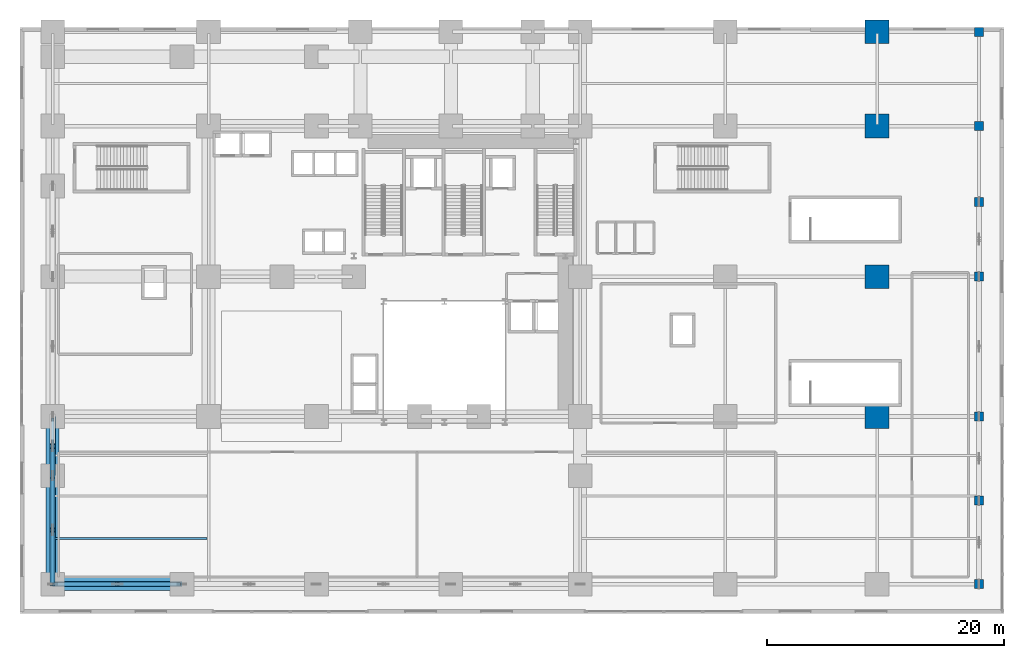
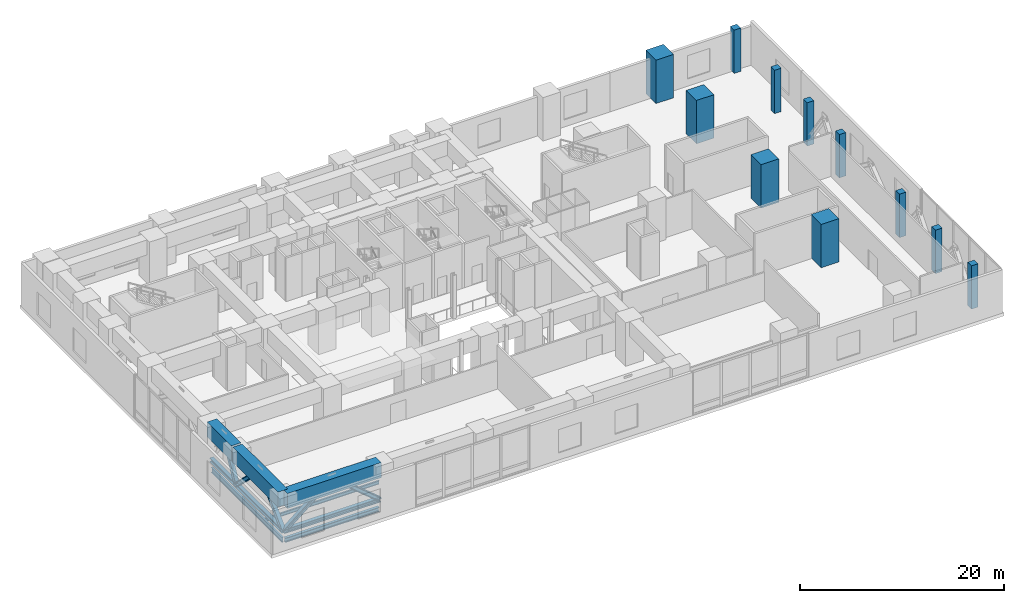
# One storey, part 2 of 17: 11 columns, 8 members, 6 beams.
"""IFC4 building model written with IfcOpenShell, lengths in metres."""

from ifc_helpers import new_model, si_unit, direction, frame, origin, origin_2d, place, context, subcontext, project, spatial, rectangle, i_section, extrude, source, transform, mapped, material, material_profile, profile_set, type_object, element, save


model = new_model("IFC4")

# Units and contexts
model_context = context("Model", 3, precision=1e-05, world=origin(), true_north=direction((0.0, 1.0)))
body_context = subcontext(model_context, "Body", "Model", "MODEL_VIEW")
ifc_project = project(units=[si_unit("LENGTHUNIT", "METRE"), si_unit("AREAUNIT", "SQUARE_METRE"), si_unit("VOLUMEUNIT", "CUBIC_METRE"), si_unit("PLANEANGLEUNIT", "RADIAN"), si_unit("MASSUNIT", "GRAM", prefix="KILO")], contexts=[model_context])

# Site, building, storey
site_placement = place(None, origin())
site = spatial("IfcSite", under=ifc_project, at=site_placement, CompositionType="ELEMENT")
building_placement = place(site_placement, origin())
building = spatial("IfcBuilding", under=site, at=building_placement, Name="Vardaveli Station Tower", CompositionType="ELEMENT")
storey_placement = place(building_placement, frame((0.0, 0.0, 11.39990234375)))
storey = spatial("IfcBuildingStorey", under=building, at=storey_placement, Name="L03", CompositionType="ELEMENT", Elevation=11.39990234375)

# Columns
ifc_material_1 = material(Name="Concrete C70/85", Category="concrete")
ifc_material_profile_1 = material_profile(ifc_material_1, rectangle(XDim=2.0, YDim=2.0, at=origin_2d()), Name="SC 2000x2000")
ifc_profile_set_1 = profile_set([ifc_material_profile_1], Name="Concrete C70/85")
column_type_1 = type_object("IfcColumnType", Name="COL-SC-2000", PredefinedType="COLUMN", material=ifc_profile_set_1)
shared_shape_1 = source(origin(), body_context, "Body", "SweptSolid", [
    extrude(rectangle(XDim=2.0, YDim=2.0, at=origin_2d()), origin(), (0.0, 0.0, 1.0), 5.2001953125),
])
for number, where, z_axis, x_axis, name in (
    (1, (72.800048828125, 17.10009765625, 0.0), (0.0, 0.0, 1.0), (1.0, 0.0, 0.0), "COL-L03-SC15"),
    (2, (72.800048828125, 28.89990234375, 0.0), (0.0, 0.0, 1.0), (1.0, 0.0, 0.0), "COL-L03-SC19"),
    (3, (72.800048828125, 41.60009765625, 0.0), (0.0, 0.0, 1.0), (1.0, 0.0, 0.0), "COL-L03-SC27"),
    (4, (72.800048828125, 49.550048828125, 0.0), (0.0, 0.0, 1.0), (1.0, 0.0, 0.0), "COL-L03-SC36"),
):
    element("IfcColumn", number, at=place(storey_placement, frame(where, z_axis=z_axis, x_axis=x_axis)), inside=storey, type_object=column_type_1, Name=name, PredefinedType="COLUMN", context=body_context, shape_type="MappedRepresentation", body=[
        mapped(shared_shape_1, transform((0.0, 0.0, 0.0), scale=1.0)),
    ])
ifc_material_2 = material(Name="Precast concrete C45/55", Category="concrete")
ifc_material_profile_2 = material_profile(ifc_material_2, rectangle(XDim=0.75, YDim=0.75, at=origin_2d()), Name="LPF 750x750")
ifc_profile_set_2 = profile_set([ifc_material_profile_2], Name="Precast concrete C45/55")
column_type_2 = type_object("IfcColumnType", Name="COL-LPF-750", PredefinedType="COLUMN", material=ifc_profile_set_2)
shared_shape_2 = source(origin(), body_context, "Body", "SweptSolid", [
    extrude(rectangle(XDim=0.75, YDim=0.75, at=origin_2d()), origin(), (0.0, 0.0, 1.0), 5.2001953125),
])
for number, where, z_axis, x_axis, name in (
    (5, (81.39990234375, 2.949951171875, 0.0), (0.0, 0.0, 1.0), (1.0, 0.0, 0.0), "COL-L03-EC01"),
    (6, (81.39990234375, 10.0, 0.0), (0.0, 0.0, 1.0), (1.0, 0.0, 0.0), "COL-L03-EC02"),
    (7, (81.39990234375, 17.10009765625, 0.0), (0.0, 0.0, 1.0), (1.0, 0.0, 0.0), "COL-L03-EC03"),
    (8, (81.39990234375, 28.89990234375, 0.0), (0.0, 0.0, 1.0), (1.0, 0.0, 0.0), "COL-L03-EC04"),
    (9, (81.39990234375, 35.199951171875, 0.0), (0.0, 0.0, 1.0), (1.0, 0.0, 0.0), "COL-L03-EC05"),
    (10, (81.39990234375, 41.60009765625, 0.0), (0.0, 0.0, 1.0), (1.0, 0.0, 0.0), "COL-L03-EC06"),
    (11, (81.39990234375, 49.550048828125, 0.0), (0.0, 0.0, 1.0), (1.0, 0.0, 0.0), "COL-L03-EC07"),
):
    element("IfcColumn", number, at=place(storey_placement, frame(where, z_axis=z_axis, x_axis=x_axis)), inside=storey, type_object=column_type_2, Name=name, PredefinedType="COLUMN", context=body_context, shape_type="MappedRepresentation", body=[
        mapped(shared_shape_2, transform((0.0, 0.0, 0.0), scale=1.0)),
    ])

# Beams
ifc_material_3 = material(Name="Concrete C60/75", Category="concrete")
ifc_material_profile_3 = material_profile(ifc_material_3, rectangle(XDim=1.10009765625, YDim=1.800048828125, at=origin_2d()), Name="TG 1100x1800")
ifc_profile_set_3 = profile_set([ifc_material_profile_3], Name="Concrete C60/75")
beam_type_1 = type_object("IfcBeamType", Name="BM-TG-1800", PredefinedType="BEAM", material=ifc_profile_set_3)
shared_shape_3 = source(origin(), body_context, "Body", "SweptSolid", [
    extrude(rectangle(XDim=1.10009765625, YDim=1.800048828125, at=origin_2d()), origin(), (0.0, 0.0, 1.0), 8.909912109375),
])
beam_1_placement = place(storey_placement, frame((3.25, 3.070068359375, 4.300048828125), z_axis=(0.0, 1.0, 0.0), x_axis=(-1.0, 0.0, 0.0)))
element("IfcBeam", 12, at=beam_1_placement, inside=storey, type_object=beam_type_1, Name="TG-L03-NS-W-1", PredefinedType="BEAM", context=body_context, shape_type="MappedRepresentation", body=[
    mapped(shared_shape_3, transform((0.0, 0.0, 0.0), scale=1.0)),
])
shared_shape_4 = source(origin(), body_context, "Body", "SweptSolid", [
    extrude(rectangle(XDim=1.10009765625, YDim=1.800048828125, at=origin_2d()), origin(), (0.0, 0.0, 1.0), 4.760009765625),
])
beam_2_placement = place(storey_placement, frame((3.25, 12.219970703125, 4.300048828125), z_axis=(0.0, 1.0, 0.0), x_axis=(-1.0, 0.0, 0.0)))
element("IfcBeam", 13, at=beam_2_placement, inside=storey, type_object=beam_type_1, Name="TG-L03-NS-W-2", PredefinedType="BEAM", context=body_context, shape_type="MappedRepresentation", body=[
    mapped(shared_shape_4, transform((0.0, 0.0, 0.0), scale=1.0)),
])
shared_shape_5 = source(origin(), body_context, "Body", "SweptSolid", [
    extrude(rectangle(XDim=1.10009765625, YDim=1.800048828125, at=origin_2d()), origin(), (0.0, 0.0, 1.0), 10.669921875),
])
beam_3_placement = place(storey_placement, frame((3.3701171875, 2.949951171875, 4.300048828125), z_axis=(1.0, 0.0, 0.0), x_axis=(0.0, 1.0, 0.0)))
element("IfcBeam", 14, at=beam_3_placement, inside=storey, type_object=beam_type_1, Name="TG-L03-EW-S-1", PredefinedType="BEAM", context=body_context, shape_type="MappedRepresentation", body=[
    mapped(shared_shape_5, transform((0.0, 0.0, 0.0), scale=1.0)),
])

# Members
ifc_material_4 = material(Name="Structural steel S460M", Category="steel")
ifc_material_profile_4 = material_profile(ifc_material_4, i_section(OverallWidth=0.427978515625, OverallDepth=0.48095703125, WebThickness=0.03955078125, FlangeThickness=0.0634765625, FilletRadius=0.014892578125, at=origin_2d()), Name="HD 400x677")
ifc_profile_set_4 = profile_set([ifc_material_profile_4], Name="Structural steel S460M")
member_type_1 = type_object("IfcMemberType", Name="MEM-CH-HD677", PredefinedType="CHORD", material=ifc_profile_set_4)
shared_shape_6 = source(origin(), body_context, "Body", "SweptSolid", [
    extrude(i_section(OverallWidth=0.427978515625, OverallDepth=0.48095703125, WebThickness=0.03955078125, FlangeThickness=0.0634765625, FilletRadius=0.014892578125, at=origin_2d()), origin(), (0.0, 0.0, 1.0), 9.150146484375),
])
member_1_placement = place(storey_placement, frame((3.25, 2.949951171875, 0.4501953125), z_axis=(0.0, 1.0, 0.0), x_axis=(-1.0, 0.0, 0.0)))
element("IfcMember", 15, at=member_1_placement, inside=storey, type_object=member_type_1, Name="TTR-CH-01", PredefinedType="CHORD", context=body_context, shape_type="MappedRepresentation", body=[
    mapped(shared_shape_6, transform((0.0, 0.0, 0.0), scale=1.0)),
])
ifc_material_profile_5 = material_profile(ifc_material_4, i_section(OverallWidth=0.424072265625, OverallDepth=0.465087890625, WebThickness=0.034912109375, FlangeThickness=0.055908203125, FilletRadius=0.014892578125, at=origin_2d()), Name="HD 400x592")
ifc_profile_set_5 = profile_set([ifc_material_profile_5], Name="Structural steel S460M")
member_type_2 = type_object("IfcMemberType", Name="MEM-BR-HD592", PredefinedType="BRACE", material=ifc_profile_set_5)
shared_shape_7 = source(origin(), body_context, "Body", "SweptSolid", [
    extrude(i_section(OverallWidth=0.424072265625, OverallDepth=0.465087890625, WebThickness=0.034912109375, FlangeThickness=0.055908203125, FilletRadius=0.014892578125, at=origin_2d()), origin(), (0.0, 0.0, 1.0), 6.417236328125),
])
for number, where, z_axis, x_axis, name in (
    (16, (3.25, 2.949951171875, 0.4501953125), (0.0, 0.71292255077, 0.701242780073), (-1.0, 0.0, 0.0), "TTR-D1-01"),
    (17, (3.25, 12.10009765625, 0.4501953125), (0.0, -0.71294125824, 0.701223760506), (1.0, 0.0, 0.0), "TTR-D2-01"),
):
    element("IfcMember", number, at=place(storey_placement, frame(where, z_axis=z_axis, x_axis=x_axis)), inside=storey, type_object=member_type_2, Name=name, PredefinedType="BRACE", context=body_context, shape_type="MappedRepresentation", body=[
        mapped(shared_shape_7, transform((0.0, 0.0, 0.0), scale=1.0)),
    ])
shared_shape_8 = source(origin(), body_context, "Body", "SweptSolid", [
    extrude(i_section(OverallWidth=0.427978515625, OverallDepth=0.48095703125, WebThickness=0.03955078125, FlangeThickness=0.0634765625, FilletRadius=0.014892578125, at=origin_2d()), origin(), (0.0, 0.0, 1.0), 5.0),
])
member_2_placement = place(storey_placement, frame((3.25, 12.10009765625, 0.4501953125), z_axis=(0.0, 1.0, 0.0), x_axis=(-1.0, 0.0, 0.0)))
element("IfcMember", 18, at=member_2_placement, inside=storey, type_object=member_type_1, Name="TTR-CH-02", PredefinedType="CHORD", context=body_context, shape_type="MappedRepresentation", body=[
    mapped(shared_shape_8, transform((0.0, 0.0, 0.0), scale=1.0)),
])
shared_shape_9 = source(origin(), body_context, "Body", "SweptSolid", [
    extrude(i_section(OverallWidth=0.424072265625, OverallDepth=0.465087890625, WebThickness=0.034912109375, FlangeThickness=0.055908203125, FilletRadius=0.014892578125, at=origin_2d()), origin(), (0.0, 0.0, 1.0), 5.147705078125),
])
member_3_placement = place(storey_placement, frame((3.25, 12.10009765625, 0.4501953125), z_axis=(0.0, 0.485642931179, 0.874157276122), x_axis=(-1.0, 0.0, 0.0)))
element("IfcMember", 19, at=member_3_placement, inside=storey, type_object=member_type_2, Name="TTR-D1-02", PredefinedType="BRACE", context=body_context, shape_type="MappedRepresentation", body=[
    mapped(shared_shape_9, transform((0.0, 0.0, 0.0), scale=1.0)),
])
shared_shape_10 = source(origin(), body_context, "Body", "SweptSolid", [
    extrude(i_section(OverallWidth=0.427978515625, OverallDepth=0.48095703125, WebThickness=0.03955078125, FlangeThickness=0.0634765625, FilletRadius=0.014892578125, at=origin_2d()), origin(), (0.0, 0.0, 1.0), 10.909912109375),
])
member_4_placement = place(storey_placement, frame((3.25, 2.949951171875, 0.4501953125), z_axis=(1.0, 0.0, 0.0), x_axis=(0.0, 1.0, 0.0)))
element("IfcMember", 20, at=member_4_placement, inside=storey, type_object=member_type_1, Name="TTR-CH-09", PredefinedType="CHORD", context=body_context, shape_type="MappedRepresentation", body=[
    mapped(shared_shape_10, transform((0.0, 0.0, 0.0), scale=1.0)),
])
shared_shape_11 = source(origin(), body_context, "Body", "SweptSolid", [
    extrude(i_section(OverallWidth=0.424072265625, OverallDepth=0.465087890625, WebThickness=0.034912109375, FlangeThickness=0.055908203125, FilletRadius=0.014892578125, at=origin_2d()), origin(), (0.0, 0.0, 1.0), 7.071533203125),
])
for number, where, z_axis, x_axis, name in (
    (21, (3.25, 2.949951171875, 0.4501953125), (0.771403783036, 0.0, 0.636345977843), (0.0, 1.0, 0.0), "TTR-D1-09"),
    (22, (14.159912109375, 2.949951171875, 0.4501953125), (-0.771389802469, 0.0, 0.636362925261), (0.0, -1.0, 0.0), "TTR-D2-09"),
):
    element("IfcMember", number, at=place(storey_placement, frame(where, z_axis=z_axis, x_axis=x_axis)), inside=storey, type_object=member_type_2, Name=name, PredefinedType="BRACE", context=body_context, shape_type="MappedRepresentation", body=[
        mapped(shared_shape_11, transform((0.0, 0.0, 0.0), scale=1.0)),
    ])

# Beams
ifc_material_5 = material(Name="Structural steel S355J2", Category="steel")
ifc_material_profile_6 = material_profile(ifc_material_5, i_section(OverallWidth=0.305908203125, OverallDepth=0.52392578125, WebThickness=0.02099609375, FlangeThickness=0.0400390625, FilletRadius=0.027099609375, at=origin_2d()), Name="HEM 500")
ifc_profile_set_6 = profile_set([ifc_material_profile_6], Name="Structural steel S355J2")
beam_type_2 = type_object("IfcBeamType", Name="BM-HEM500", PredefinedType="BEAM", material=ifc_profile_set_6)
shared_shape_12 = source(origin(), body_context, "Body", "SweptSolid", [
    extrude(i_section(OverallWidth=0.305908203125, OverallDepth=0.52392578125, WebThickness=0.02099609375, FlangeThickness=0.0400390625, FilletRadius=0.027099609375, at=origin_2d()), origin(), (0.0, 0.0, 1.0), 10.669921875),
])
beam_4_placement = place(storey_placement, frame((3.3701171875, 2.949951171875, -0.661865234375), z_axis=(1.0, 0.0, 0.0), x_axis=(0.0, 1.0, 0.0)))
element("IfcBeam", 23, at=beam_4_placement, inside=storey, type_object=beam_type_2, Name="PBM-L03-EW0-0", PredefinedType="BEAM", context=body_context, shape_type="MappedRepresentation", body=[
    mapped(shared_shape_12, transform((0.0, 0.0, 0.0), scale=1.0)),
])
ifc_material_profile_7 = material_profile(ifc_material_5, i_section(OverallWidth=0.219970703125, OverallDepth=0.60009765625, WebThickness=0.011962890625, FlangeThickness=0.01904296875, FilletRadius=0.02392578125, at=origin_2d()), Name="IPE 600")
ifc_profile_set_7 = profile_set([ifc_material_profile_7], Name="Structural steel S355J2")
beam_type_3 = type_object("IfcBeamType", Name="BM-IPE600", PredefinedType="BEAM", material=ifc_profile_set_7)
shared_shape_13 = source(origin(), body_context, "Body", "SweptSolid", [
    extrude(i_section(OverallWidth=0.219970703125, OverallDepth=0.60009765625, WebThickness=0.011962890625, FlangeThickness=0.01904296875, FilletRadius=0.02392578125, at=origin_2d()), origin(), (0.0, 0.0, 1.0), 13.909912109375),
])
beam_5_placement = place(storey_placement, frame((3.25, 3.070068359375, -0.699951171875), z_axis=(0.0, 1.0, 0.0), x_axis=(-1.0, 0.0, 0.0)))
element("IfcBeam", 24, at=beam_5_placement, inside=storey, type_object=beam_type_3, Name="PBM-L03-NS0-0", PredefinedType="BEAM", context=body_context, shape_type="MappedRepresentation", body=[
    mapped(shared_shape_13, transform((0.0, 0.0, 0.0), scale=1.0)),
])
ifc_material_profile_8 = material_profile(ifc_material_5, i_section(OverallWidth=0.179931640625, OverallDepth=0.39990234375, WebThickness=0.008544921875, FlangeThickness=0.013427734375, FilletRadius=0.02099609375, at=origin_2d()), Name="IPE 400")
ifc_profile_set_8 = profile_set([ifc_material_profile_8], Name="Structural steel S355J2")
beam_type_4 = type_object("IfcBeamType", Name="BM-IPE400", PredefinedType="JOIST", material=ifc_profile_set_8)
shared_shape_14 = source(origin(), body_context, "Body", "SweptSolid", [
    extrude(i_section(OverallWidth=0.179931640625, OverallDepth=0.39990234375, WebThickness=0.008544921875, FlangeThickness=0.013427734375, FilletRadius=0.02099609375, at=origin_2d()), origin(), (0.0, 0.0, 1.0), 12.926025390625),
])
beam_6_placement = place(storey_placement, frame((3.362060546875, 6.800048828125, -0.599853515625), z_axis=(1.0, 0.0, 0.0), x_axis=(0.0, 1.0, 0.0)))
element("IfcBeam", 25, at=beam_6_placement, inside=storey, type_object=beam_type_4, Name="PJ-L03-1-0", PredefinedType="JOIST", context=body_context, shape_type="MappedRepresentation", body=[
    mapped(shared_shape_14, transform((0.0, 0.0, 0.0), scale=1.0)),
])

save(model, "model.ifc")
